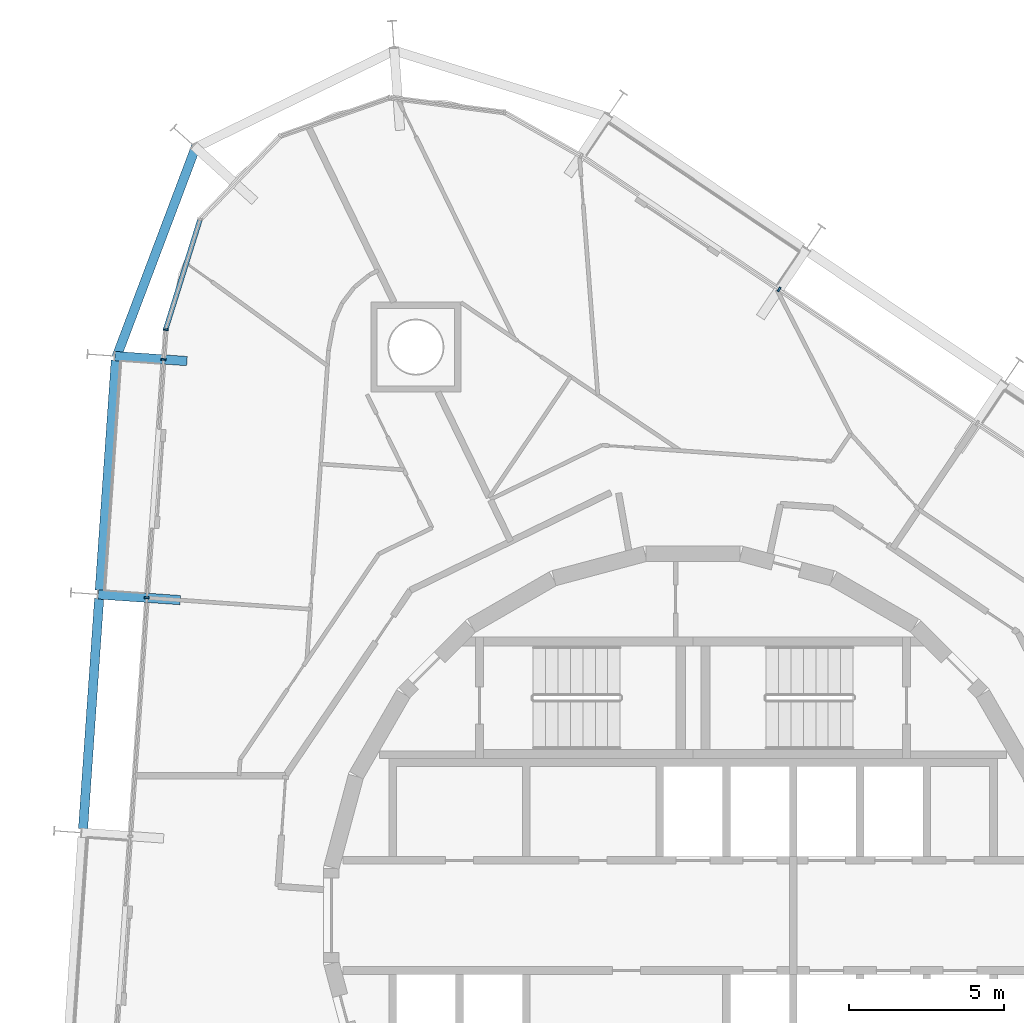
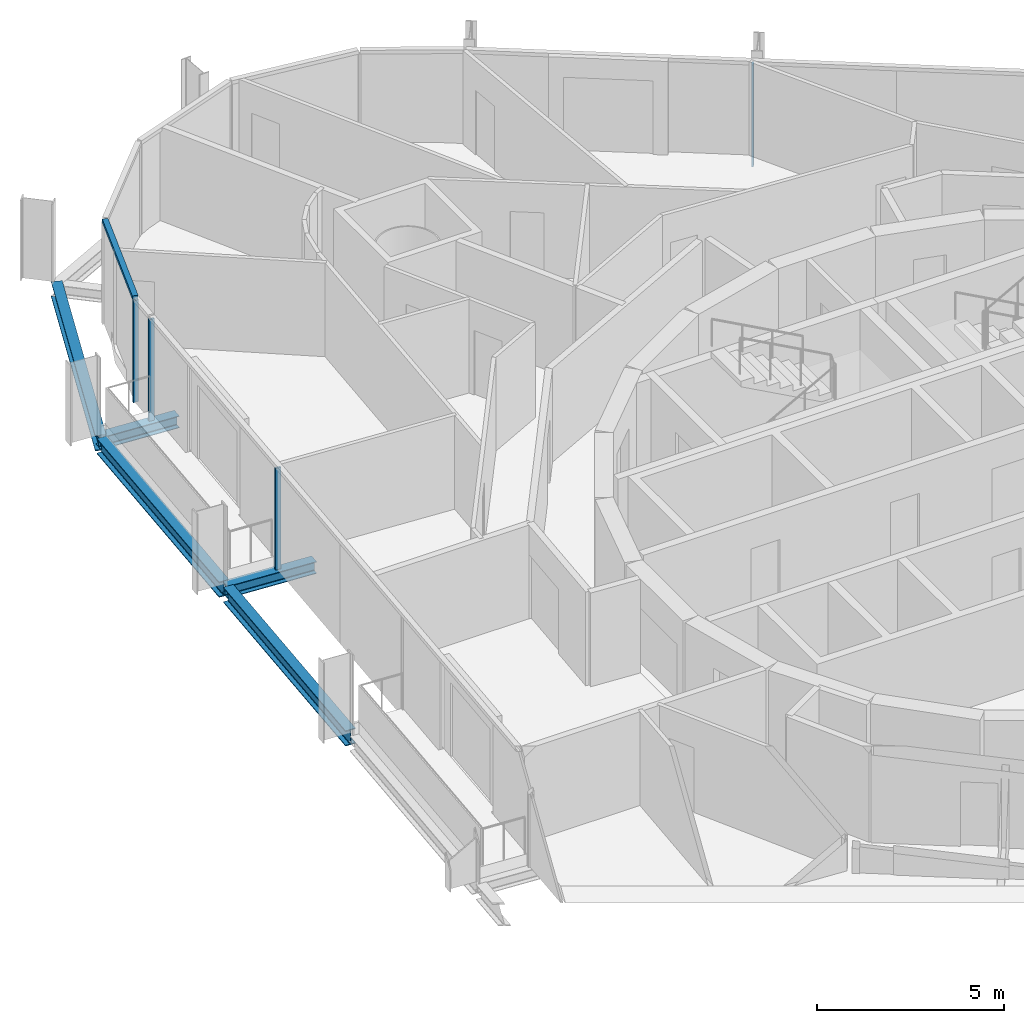
# One storey, part 6 of 17: 5 beams, 5 members, 3 elements without a shape of their own.
"""IFC4 building model written with IfcOpenShell, lengths in metres."""

from ifc_helpers import new_model, si_unit, direction, frame, origin, origin_2d, place, context, subcontext, project, spatial, rectangle, i_section, extrude, material, layer, layer_set, material_profile, profile_set, type_object, element, aggregate, save


model = new_model("IFC4")

# Units and contexts
model_context = context("Model", 3, precision=1e-05, world=origin(), true_north=direction((0.0, 1.0)))
body_context = subcontext(model_context, "Body", "Model", "MODEL_VIEW")
ifc_project = project(units=[si_unit("LENGTHUNIT", "METRE"), si_unit("AREAUNIT", "SQUARE_METRE"), si_unit("VOLUMEUNIT", "CUBIC_METRE"), si_unit("PLANEANGLEUNIT", "RADIAN"), si_unit("MASSUNIT", "GRAM", prefix="KILO")], contexts=[model_context])

# Site, building, storey
site_placement = place(None, origin())
site = spatial("IfcSite", under=ifc_project, at=site_placement, CompositionType="ELEMENT")
building_placement = place(site_placement, origin())
building = spatial("IfcBuilding", under=site, at=building_placement, Name="Spindle Arch Residences", CompositionType="ELEMENT")
storey_placement = place(building_placement, frame((0.0, 0.0, 216.39990234375)))
storey = spatial("IfcBuildingStorey", under=building, at=storey_placement, Name="L55", CompositionType="ELEMENT", Elevation=216.39990234375)

# Curtain wall, member
ifc_material_1 = material(Name="Aluminium bronze unitised frame with tinted glass", Category="aluminium")
ifc_layer_1 = layer(ifc_material_1, 0.159912109375)
ifc_layer_set_1 = layer_set([ifc_layer_1], Name="CW-C typical residential unitised wall")
curtain_wall_type_1 = type_object("IfcCurtainWallType", Name="CW-C typical residential unitised wall", PredefinedType="NOTDEFINED", material=ifc_layer_set_1)
curtain_wall_1_placement = place(storey_placement, origin())
curtain_wall_1 = element("IfcCurtainWall", 1, at=curtain_wall_1_placement, inside=storey, type_object=curtain_wall_type_1, Name="CW-C L55 run 2", PredefinedType="NOTDEFINED")
ifc_material_2 = material(Name="Aluminium bronze anodised mullion", Category="aluminium")
ifc_material_profile_1 = material_profile(ifc_material_2, rectangle(XDim=0.159912109375, YDim=0.06005859375, at=origin_2d()), Name="MU 60x160")
ifc_profile_set_1 = profile_set([ifc_material_profile_1], Name="Aluminium bronze anodised mullion")
member_type_1 = type_object("IfcMemberType", Name="Bronze mullion 60x160", PredefinedType="MULLION", material=ifc_profile_set_1)
member_1_placement = place(storey_placement, frame((2.769775390625, 20.158203125, -0.3798828125), z_axis=(0.0, 0.0, 1.0), x_axis=(-0.559192903471, -0.829037572555, 0.0)))
member_1 = element("IfcMember", 2, at=member_1_placement, type_object=member_type_1, Name="CW-C mullion 08", PredefinedType="MULLION", context=body_context, shape_type="SweptSolid", body=[
    extrude(rectangle(XDim=0.159912109375, YDim=0.06005859375, at=origin_2d()), origin(), (0.0, 0.0, 1.0), 3.31005859375),
])
aggregate(curtain_wall_1, [member_1])

ifc_material_3 = material(Name="Aluminium bronze unitised frame with tinted glass", Category="aluminium")
ifc_layer_2 = layer(ifc_material_3, 0.159912109375)
ifc_layer_set_2 = layer_set([ifc_layer_2], Name="CW-D corner wall on the fillet arcs")
curtain_wall_type_2 = type_object("IfcCurtainWallType", Name="CW-D corner wall on the fillet arcs", PredefinedType="NOTDEFINED", material=ifc_layer_set_2)
curtain_wall_2_placement = place(storey_placement, origin())
curtain_wall_2 = element("IfcCurtainWall", 3, at=curtain_wall_2_placement, inside=storey, type_object=curtain_wall_type_2, Name="CW-D L55 run 3", PredefinedType="NOTDEFINED")
member_2_placement = place(storey_placement, frame((-16.986328125, 18.864501953125, -0.3798828125), z_axis=(0.0, 0.0, 1.0), x_axis=(0.99756405026, -0.069756473744, 0.0)))
member_2 = element("IfcMember", 4, at=member_2_placement, type_object=member_type_1, Name="CW-D mullion 05", PredefinedType="MULLION", context=body_context, shape_type="SweptSolid", body=[
    extrude(rectangle(XDim=0.159912109375, YDim=0.06005859375, at=origin_2d()), origin(), (0.0, 0.0, 1.0), 3.31005859375),
])

# Curtain wall, members
curtain_wall_3_placement = place(storey_placement, origin())
curtain_wall_3 = element("IfcCurtainWall", 5, at=curtain_wall_3_placement, inside=storey, type_object=curtain_wall_type_1, Name="CW-C L55 run 4", PredefinedType="NOTDEFINED")
member_3_placement = place(storey_placement, frame((-17.053466796875, 17.90283203125, -0.3798828125), z_axis=(0.0, 0.0, 1.0), x_axis=(0.99756405026, -0.069756473744, 0.0)))
member_3 = element("IfcMember", 6, at=member_3_placement, type_object=member_type_1, Name="CW-C mullion 12", PredefinedType="MULLION", context=body_context, shape_type="SweptSolid", body=[
    extrude(rectangle(XDim=0.159912109375, YDim=0.06005859375, at=origin_2d()), origin(), (0.0, 0.0, 1.0), 3.31005859375),
])
member_4_placement = place(storey_placement, frame((-17.590087890625, 10.22802734375, -0.3798828125), z_axis=(0.0, 0.0, 1.0), x_axis=(0.99756405026, -0.069756473744, 0.0)))
member_4 = element("IfcMember", 7, at=member_4_placement, type_object=member_type_1, Name="CW-C mullion 13", PredefinedType="MULLION", context=body_context, shape_type="SweptSolid", body=[
    extrude(rectangle(XDim=0.159912109375, YDim=0.06005859375, at=origin_2d()), origin(), (0.0, 0.0, 1.0), 3.31005859375),
])
aggregate(curtain_wall_3, [member_3, member_4])

# Member
ifc_material_4 = material(Name="Aluminium bronze anodised transom", Category="aluminium")
ifc_material_profile_2 = material_profile(ifc_material_4, rectangle(XDim=0.159912109375, YDim=0.1201171875, at=origin_2d()), Name="TR 120x160")
ifc_profile_set_2 = profile_set([ifc_material_profile_2], Name="Aluminium bronze anodised transom")
member_type_2 = type_object("IfcMemberType", Name="Bronze transom 120x160", PredefinedType="USERDEFINED", material=ifc_profile_set_2)
member_5_placement = place(storey_placement, frame((-15.884765625, 22.393310546875, 2.989990234375), z_axis=(-0.297952730594, -0.95458062537, 0.0), x_axis=(0.95458062537, -0.297952730594, 0.0)))
member_5 = element("IfcMember", 8, at=member_5_placement, type_object=member_type_2, Name="CW-D transom 04", ObjectType="TRANSOM", PredefinedType="USERDEFINED", context=body_context, shape_type="SweptSolid", body=[
    extrude(rectangle(XDim=0.159912109375, YDim=0.1201171875, at=origin_2d()), origin(), (0.0, 0.0, 1.0), 3.666748046875),
])

aggregate(curtain_wall_2, [member_5, member_2])

# Beams
ifc_material_5 = material(Name="Steel S460ML, intumescent coating R 120", Category="steel")
ifc_material_profile_3 = material_profile(ifc_material_5, i_section(OverallWidth=0.300048828125, OverallDepth=0.5, WebThickness=0.014404296875, FlangeThickness=0.028076171875, FilletRadius=0.027099609375, at=origin_2d()), Name="HEB 500")
ifc_profile_set_3 = profile_set([ifc_material_profile_3], Name="Steel S460ML, intumescent coating R 120")
beam_type_1 = type_object("IfcBeamType", Name="Exoskeleton edge beam HEB 500", PredefinedType="BEAM", material=ifc_profile_set_3)
beam_1_placement = place(storey_placement, frame((-16.005859375, 24.768310546875, -0.6298828125), z_axis=(-0.353273753707, -0.935519991738, 0.0), x_axis=(0.935519991738, -0.353273753707, 0.0)))
element("IfcBeam", 9, at=beam_1_placement, inside=storey, type_object=beam_type_1, Name="Exoskeleton edge beam 12", PredefinedType="BEAM", context=body_context, shape_type="SweptSolid", body=[
    extrude(i_section(OverallWidth=0.300048828125, OverallDepth=0.5, WebThickness=0.014404296875, FlangeThickness=0.028076171875, FilletRadius=0.027099609375, at=origin_2d()), origin(), (0.0, 0.0, 1.0), 7.26318359375),
])
beam_2_placement = place(storey_placement, frame((-18.5888671875, 17.8798828125, -0.6298828125), z_axis=(-0.069757879566, -0.997563951954, 0.0), x_axis=(0.997563951954, -0.069757879566, 0.0)))
element("IfcBeam", 10, at=beam_2_placement, inside=storey, type_object=beam_type_1, Name="Exoskeleton edge beam 13", PredefinedType="BEAM", context=body_context, shape_type="SweptSolid", body=[
    extrude(i_section(OverallWidth=0.300048828125, OverallDepth=0.5, WebThickness=0.014404296875, FlangeThickness=0.028076171875, FilletRadius=0.027099609375, at=origin_2d()), origin(), (0.0, 0.0, 1.0), 7.43359375),
])
beam_3_placement = place(storey_placement, frame((-19.12548828125, 10.205078125, -0.6298828125), z_axis=(-0.069755594186, -0.997564111764, 0.0), x_axis=(0.997564111764, -0.069755594186, 0.0)))
element("IfcBeam", 11, at=beam_3_placement, inside=storey, type_object=beam_type_1, Name="Exoskeleton edge beam 14", PredefinedType="BEAM", context=body_context, shape_type="SweptSolid", body=[
    extrude(i_section(OverallWidth=0.300048828125, OverallDepth=0.5, WebThickness=0.014404296875, FlangeThickness=0.028076171875, FilletRadius=0.027099609375, at=origin_2d()), origin(), (0.0, 0.0, 1.0), 7.433837890625),
])
ifc_material_6 = material(Name="Steel S460ML, intumescent coating R 120", Category="steel")
ifc_material_profile_4 = material_profile(ifc_material_6, i_section(OverallWidth=0.300048828125, OverallDepth=0.389892578125, WebThickness=0.010986328125, FlangeThickness=0.01904296875, FilletRadius=0.027099609375, at=origin_2d()), Name="HEA 400")
ifc_profile_set_4 = profile_set([ifc_material_profile_4], Name="Steel S460ML, intumescent coating R 120")
beam_type_2 = type_object("IfcBeamType", Name="Floor outrigger HEA 400", PredefinedType="BEAM", material=ifc_profile_set_4)
beam_4_placement = place(storey_placement, frame((-18.61962890625, 18.012451171875, -0.574951171875), z_axis=(0.997565099834, -0.069741462509, 0.0), x_axis=(0.069741462509, 0.997565099834, 0.0)))
element("IfcBeam", 12, at=beam_4_placement, inside=storey, type_object=beam_type_2, Name="Floor outrigger 13", PredefinedType="BEAM", context=body_context, shape_type="SweptSolid", body=[
    extrude(i_section(OverallWidth=0.300048828125, OverallDepth=0.389892578125, WebThickness=0.010986328125, FlangeThickness=0.01904296875, FilletRadius=0.027099609375, at=origin_2d()), origin(), (0.0, 0.0, 1.0), 2.327880859375),
])
beam_5_placement = place(storey_placement, frame((-19.15625, 10.33740234375, -0.574951171875), z_axis=(0.997565124092, -0.069741115528, 0.0), x_axis=(0.069741115528, 0.997565124092, 0.0)))
element("IfcBeam", 13, at=beam_5_placement, inside=storey, type_object=beam_type_2, Name="Floor outrigger 14", PredefinedType="BEAM", context=body_context, shape_type="SweptSolid", body=[
    extrude(i_section(OverallWidth=0.300048828125, OverallDepth=0.389892578125, WebThickness=0.010986328125, FlangeThickness=0.01904296875, FilletRadius=0.027099609375, at=origin_2d()), origin(), (0.0, 0.0, 1.0), 2.64990234375),
])

save(model, "model.ifc")
